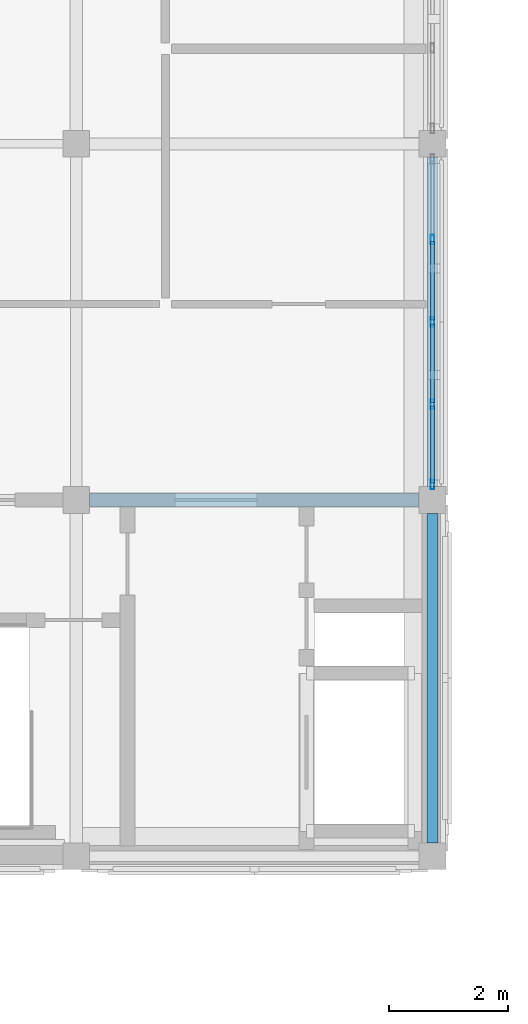
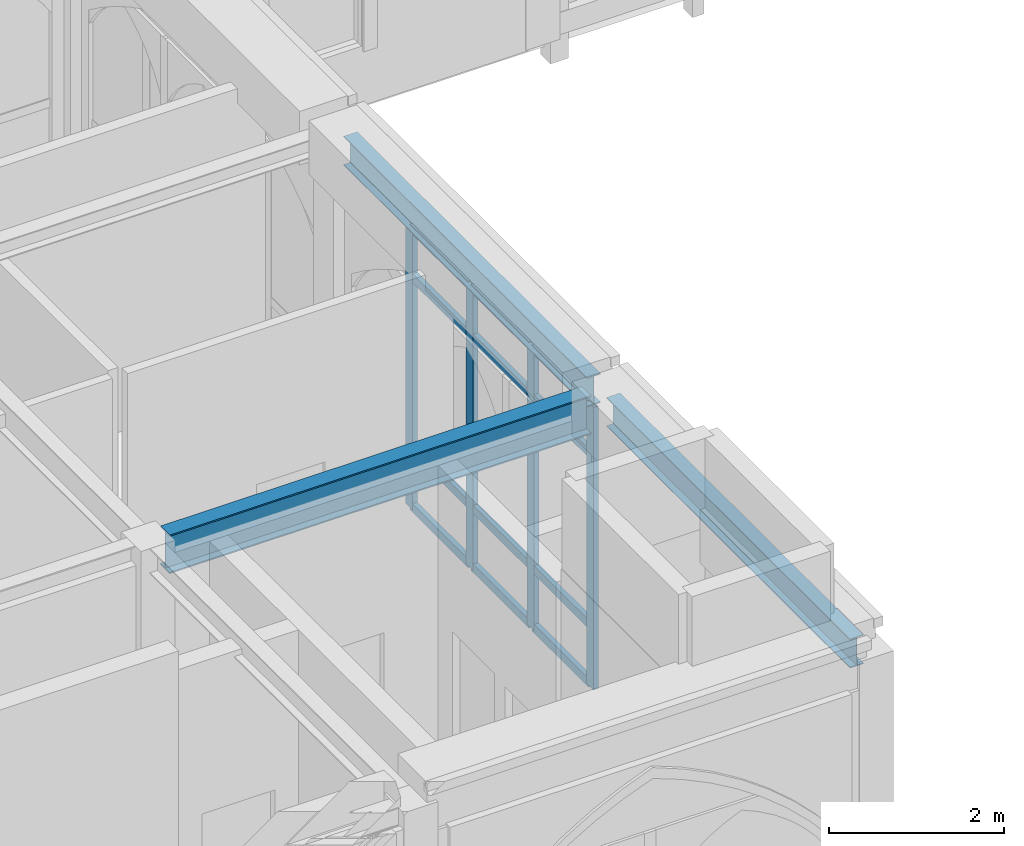
# One storey, part 7 of 59: 16 members, 3 beams, 1 element without a shape of its own.
"""IFC4 building model written with IfcOpenShell, lengths in metres."""

from ifc_helpers import new_model, si_unit, direction, frame, origin, origin_2d, place, context, subcontext, project, spatial, hollow_rectangle, i_section, extrude, material, layer, layer_set, material_profile, profile_set, type_object, element, aggregate, save


model = new_model("IFC4")

# Units and contexts
model_context = context("Model", 3, precision=1e-05, world=origin(), true_north=direction((0.0, 1.0)))
body_context = subcontext(model_context, "Body", "Model", "MODEL_VIEW")
ifc_project = project(units=[si_unit("LENGTHUNIT", "METRE"), si_unit("AREAUNIT", "SQUARE_METRE"), si_unit("VOLUMEUNIT", "CUBIC_METRE"), si_unit("PLANEANGLEUNIT", "RADIAN"), si_unit("MASSUNIT", "GRAM", prefix="KILO")], contexts=[model_context])

# Site, building, storey
site_placement = place(None, origin())
site = spatial("IfcSite", under=ifc_project, at=site_placement, CompositionType="ELEMENT")
building_placement = place(site_placement, origin())
building = spatial("IfcBuilding", under=site, at=building_placement, Name="Cumevento Cable Car Station", CompositionType="ELEMENT")
storey_placement = place(building_placement, frame((0.0, 0.0, 18.0)))
storey = spatial("IfcBuildingStorey", under=building, at=storey_placement, Name="L05", CompositionType="ELEMENT", Elevation=18.0)

# Curtain wall, members
ifc_material_1 = material(Name="Anodised Bronze Aluminium AW-6063-T6", Category="aluminium")
ifc_layer = layer(ifc_material_1, 0.2080078125)
ifc_layer_set = layer_set([ifc_layer], Name="Anodised Bronze Aluminium AW-6063-T6")
curtain_wall_type = type_object("IfcCurtainWallType", Name="Lancet Curtain Wall CW-09 1370", PredefinedType="NOTDEFINED", material=ifc_layer_set)
curtain_wall_placement = place(storey_placement, origin())
curtain_wall = element("IfcCurtainWall", 1, at=curtain_wall_placement, inside=storey, type_object=curtain_wall_type, Name="Lancet Curtain Wall CW-09 L05 #200", PredefinedType="NOTDEFINED")
ifc_material_2 = material(Name="Anodised Bronze Aluminium AW-6063-T6", Category="aluminium")
ifc_material_profile_1 = material_profile(ifc_material_2, hollow_rectangle(XDim=0.06494140625, YDim=0.159912109375, WallThickness=0.00390625, at=origin_2d()), Name="ALUM65x160x4")
ifc_profile_set_1 = profile_set([ifc_material_profile_1], Name="Anodised Bronze Aluminium AW-6063-T6")
member_type_1 = type_object("IfcMemberType", Name="Curtain Mullion CWM-01 ALUM65x160x4", PredefinedType="MULLION", material=ifc_profile_set_1)
member_1_placement = place(storey_placement, frame((22.0, 37.387451171875, 0.159912109375), z_axis=(0.0, 0.0, 1.0), x_axis=(1.0, 0.0, 0.0)))
member_1 = element("IfcMember", 2, at=member_1_placement, type_object=member_type_1, Name="CW-09 mullion 2", PredefinedType="MULLION", context=body_context, shape_type="SweptSolid", body=[
    extrude(hollow_rectangle(XDim=0.06494140625, YDim=0.159912109375, WallThickness=0.00390625, at=origin_2d()), origin(), (0.0, 0.0, 1.0), 3.93310546875),
])
member_2_placement = place(storey_placement, frame((22.0, 36.0, 0.159912109375), z_axis=(0.0, 0.0, 1.0), x_axis=(1.0, 0.0, 0.0)))
member_2 = element("IfcMember", 3, at=member_2_placement, type_object=member_type_1, Name="CW-09 mullion 3", PredefinedType="MULLION", context=body_context, shape_type="SweptSolid", body=[
    extrude(hollow_rectangle(XDim=0.06494140625, YDim=0.159912109375, WallThickness=0.00390625, at=origin_2d()), origin(), (0.0, 0.0, 1.0), 3.93310546875),
])
member_3_placement = place(storey_placement, frame((22.0, 34.612548828125, 0.159912109375), z_axis=(0.0, 0.0, 1.0), x_axis=(1.0, 0.0, 0.0)))
member_3 = element("IfcMember", 4, at=member_3_placement, type_object=member_type_1, Name="CW-09 mullion 4", PredefinedType="MULLION", context=body_context, shape_type="SweptSolid", body=[
    extrude(hollow_rectangle(XDim=0.06494140625, YDim=0.159912109375, WallThickness=0.00390625, at=origin_2d()), origin(), (0.0, 0.0, 1.0), 3.93310546875),
])
member_4_placement = place(storey_placement, frame((22.0, 33.257568359375, 0.159912109375), z_axis=(0.0, 0.0, 1.0), x_axis=(1.0, 0.0, 0.0)))
member_4 = element("IfcMember", 5, at=member_4_placement, type_object=member_type_1, Name="CW-09 mullion 5", PredefinedType="MULLION", context=body_context, shape_type="SweptSolid", body=[
    extrude(hollow_rectangle(XDim=0.06494140625, YDim=0.159912109375, WallThickness=0.00390625, at=origin_2d()), origin(), (0.0, 0.0, 1.0), 3.93310546875),
])
ifc_material_3 = material(Name="Anodised Bronze Aluminium AW-6063-T6", Category="aluminium")
ifc_material_profile_2 = material_profile(ifc_material_3, hollow_rectangle(XDim=0.06494140625, YDim=0.1201171875, WallThickness=0.00390625, at=origin_2d()), Name="ALUT65x120x4")
ifc_profile_set_2 = profile_set([ifc_material_profile_2], Name="Anodised Bronze Aluminium AW-6063-T6")
member_type_2 = type_object("IfcMemberType", Name="Curtain Transom CWT-01 ALUT65x120x4", PredefinedType="USERDEFINED", material=ifc_profile_set_2)
member_5_placement = place(storey_placement, frame((22.0, 37.35498046875, 0.1923828125), z_axis=(0.0, -1.0, 0.0), x_axis=(1.0, 0.0, 0.0)))
member_5 = element("IfcMember", 6, at=member_5_placement, type_object=member_type_2, Name="CW-09 transom 2.1", ObjectType="TRANSOM", PredefinedType="USERDEFINED", context=body_context, shape_type="SweptSolid", body=[
    extrude(hollow_rectangle(XDim=0.06494140625, YDim=0.1201171875, WallThickness=0.00390625, at=origin_2d()), origin(), (0.0, 0.0, 1.0), 1.322509765625),
])
member_6_placement = place(storey_placement, frame((22.0, 37.35498046875, 1.010009765625), z_axis=(0.0, -1.0, 0.0), x_axis=(1.0, 0.0, 0.0)))
member_6 = element("IfcMember", 7, at=member_6_placement, type_object=member_type_2, Name="CW-09 transom 2.2", ObjectType="TRANSOM", PredefinedType="USERDEFINED", context=body_context, shape_type="SweptSolid", body=[
    extrude(hollow_rectangle(XDim=0.06494140625, YDim=0.1201171875, WallThickness=0.00390625, at=origin_2d()), origin(), (0.0, 0.0, 1.0), 1.322509765625),
])
member_7_placement = place(storey_placement, frame((22.0, 37.35498046875, 3.39306640625), z_axis=(0.0, -1.0, 0.0), x_axis=(1.0, 0.0, 0.0)))
member_7 = element("IfcMember", 8, at=member_7_placement, type_object=member_type_2, Name="CW-09 transom 2.3", ObjectType="TRANSOM", PredefinedType="USERDEFINED", context=body_context, shape_type="SweptSolid", body=[
    extrude(hollow_rectangle(XDim=0.06494140625, YDim=0.1201171875, WallThickness=0.00390625, at=origin_2d()), origin(), (0.0, 0.0, 1.0), 1.322509765625),
])
member_8_placement = place(storey_placement, frame((22.0, 37.35498046875, 4.060546875), z_axis=(0.0, -1.0, 0.0), x_axis=(1.0, 0.0, 0.0)))
member_8 = element("IfcMember", 9, at=member_8_placement, type_object=member_type_2, Name="CW-09 transom 2.4", ObjectType="TRANSOM", PredefinedType="USERDEFINED", context=body_context, shape_type="SweptSolid", body=[
    extrude(hollow_rectangle(XDim=0.06494140625, YDim=0.1201171875, WallThickness=0.00390625, at=origin_2d()), origin(), (0.0, 0.0, 1.0), 1.322509765625),
])
member_9_placement = place(storey_placement, frame((22.0, 35.967529296875, 0.1923828125), z_axis=(0.0, -1.0, 0.0), x_axis=(1.0, 0.0, 0.0)))
member_9 = element("IfcMember", 10, at=member_9_placement, type_object=member_type_2, Name="CW-09 transom 3.1", ObjectType="TRANSOM", PredefinedType="USERDEFINED", context=body_context, shape_type="SweptSolid", body=[
    extrude(hollow_rectangle(XDim=0.06494140625, YDim=0.1201171875, WallThickness=0.00390625, at=origin_2d()), origin(), (0.0, 0.0, 1.0), 1.322509765625),
])
member_10_placement = place(storey_placement, frame((22.0, 35.967529296875, 1.010009765625), z_axis=(0.0, -1.0, 0.0), x_axis=(1.0, 0.0, 0.0)))
member_10 = element("IfcMember", 11, at=member_10_placement, type_object=member_type_2, Name="CW-09 transom 3.2", ObjectType="TRANSOM", PredefinedType="USERDEFINED", context=body_context, shape_type="SweptSolid", body=[
    extrude(hollow_rectangle(XDim=0.06494140625, YDim=0.1201171875, WallThickness=0.00390625, at=origin_2d()), origin(), (0.0, 0.0, 1.0), 1.322509765625),
])
member_11_placement = place(storey_placement, frame((22.0, 35.967529296875, 3.39306640625), z_axis=(0.0, -1.0, 0.0), x_axis=(1.0, 0.0, 0.0)))
member_11 = element("IfcMember", 12, at=member_11_placement, type_object=member_type_2, Name="CW-09 transom 3.3", ObjectType="TRANSOM", PredefinedType="USERDEFINED", context=body_context, shape_type="SweptSolid", body=[
    extrude(hollow_rectangle(XDim=0.06494140625, YDim=0.1201171875, WallThickness=0.00390625, at=origin_2d()), origin(), (0.0, 0.0, 1.0), 1.322509765625),
])
member_12_placement = place(storey_placement, frame((22.0, 35.967529296875, 4.060546875), z_axis=(0.0, -1.0, 0.0), x_axis=(1.0, 0.0, 0.0)))
member_12 = element("IfcMember", 13, at=member_12_placement, type_object=member_type_2, Name="CW-09 transom 3.4", ObjectType="TRANSOM", PredefinedType="USERDEFINED", context=body_context, shape_type="SweptSolid", body=[
    extrude(hollow_rectangle(XDim=0.06494140625, YDim=0.1201171875, WallThickness=0.00390625, at=origin_2d()), origin(), (0.0, 0.0, 1.0), 1.322509765625),
])
member_13_placement = place(storey_placement, frame((22.0, 34.580078125, 0.1923828125), z_axis=(0.0, -1.0, 0.0), x_axis=(1.0, 0.0, 0.0)))
member_13 = element("IfcMember", 14, at=member_13_placement, type_object=member_type_2, Name="CW-09 transom 4.1", ObjectType="TRANSOM", PredefinedType="USERDEFINED", context=body_context, shape_type="SweptSolid", body=[
    extrude(hollow_rectangle(XDim=0.06494140625, YDim=0.1201171875, WallThickness=0.00390625, at=origin_2d()), origin(), (0.0, 0.0, 1.0), 1.2900390625),
])
member_14_placement = place(storey_placement, frame((22.0, 34.580078125, 1.010009765625), z_axis=(0.0, -1.0, 0.0), x_axis=(1.0, 0.0, 0.0)))
member_14 = element("IfcMember", 15, at=member_14_placement, type_object=member_type_2, Name="CW-09 transom 4.2", ObjectType="TRANSOM", PredefinedType="USERDEFINED", context=body_context, shape_type="SweptSolid", body=[
    extrude(hollow_rectangle(XDim=0.06494140625, YDim=0.1201171875, WallThickness=0.00390625, at=origin_2d()), origin(), (0.0, 0.0, 1.0), 1.2900390625),
])
member_15_placement = place(storey_placement, frame((22.0, 34.580078125, 3.39306640625), z_axis=(0.0, -1.0, 0.0), x_axis=(1.0, 0.0, 0.0)))
member_15 = element("IfcMember", 16, at=member_15_placement, type_object=member_type_2, Name="CW-09 transom 4.3", ObjectType="TRANSOM", PredefinedType="USERDEFINED", context=body_context, shape_type="SweptSolid", body=[
    extrude(hollow_rectangle(XDim=0.06494140625, YDim=0.1201171875, WallThickness=0.00390625, at=origin_2d()), origin(), (0.0, 0.0, 1.0), 1.2900390625),
])
member_16_placement = place(storey_placement, frame((22.0, 34.580078125, 4.060546875), z_axis=(0.0, -1.0, 0.0), x_axis=(1.0, 0.0, 0.0)))
member_16 = element("IfcMember", 17, at=member_16_placement, type_object=member_type_2, Name="CW-09 transom 4.4", ObjectType="TRANSOM", PredefinedType="USERDEFINED", context=body_context, shape_type="SweptSolid", body=[
    extrude(hollow_rectangle(XDim=0.06494140625, YDim=0.1201171875, WallThickness=0.00390625, at=origin_2d()), origin(), (0.0, 0.0, 1.0), 1.2900390625),
])
aggregate(curtain_wall, [member_1, member_2, member_3, member_4, member_5, member_6, member_7, member_8, member_9, member_10, member_11, member_12, member_13, member_14, member_15, member_16])

# Beams
ifc_material_4 = material(Name="Steel ASTM A572 Grade 50", Category="steel")
ifc_material_profile_3 = material_profile(ifc_material_4, i_section(OverallWidth=0.2109375, OverallDepth=0.5390625, WebThickness=0.01171875, FlangeThickness=0.018798828125, at=origin_2d()), Name="W530x109.0")
ifc_profile_set_3 = profile_set([ifc_material_profile_3], Name="Steel ASTM A572 Grade 50")
beam_type_1 = type_object("IfcBeamType", Name="Structural Beam BM-11 W530x109.0", PredefinedType="BEAM", material=ifc_profile_set_3)
beam_placement = place(storey_placement, frame((16.22509765625, 33.0, 4.23046875), z_axis=(1.0, 0.0, 0.0), x_axis=(0.0, 1.0, 0.0)))
element("IfcBeam", 18, at=beam_placement, inside=storey, type_object=beam_type_1, Name="Beam BM-11 L05 #1576", PredefinedType="BEAM", context=body_context, shape_type="SweptSolid", body=[
    extrude(i_section(OverallWidth=0.2109375, OverallDepth=0.5390625, WebThickness=0.01171875, FlangeThickness=0.018798828125, at=origin_2d()), origin(), (0.0, 0.0, 1.0), 5.5498046875),
])
ifc_material_5 = material(Name="Steel ASTM A572 Grade 50", Category="steel")
ifc_material_profile_4 = material_profile(ifc_material_5, i_section(OverallWidth=0.177978515625, OverallDepth=0.406982421875, WebThickness=0.0078125, FlangeThickness=0.0126953125, at=origin_2d()), Name="W410x60.0")
ifc_profile_set_4 = profile_set([ifc_material_profile_4], Name="Steel ASTM A572 Grade 50")
beam_type_2 = type_object("IfcBeamType", Name="Structural Spandrel SP-01 W410x60.0", PredefinedType="SPANDREL", material=ifc_profile_set_4)
for number, where, z_axis, x_axis, name in (
    (19, (22.0, 27.22509765625, 4.29638671875), (0.0, 1.0, 0.0), (-1.0, 0.0, 0.0), "Beam SP-01 L05 #1579"),
    (20, (22.0, 33.22509765625, 4.29638671875), (0.0, 1.0, 0.0), (-1.0, 0.0, 0.0), "Beam SP-01 L05 #1588"),
):
    element("IfcBeam", number, at=place(storey_placement, frame(where, z_axis=z_axis, x_axis=x_axis)), inside=storey, type_object=beam_type_2, Name=name, PredefinedType="SPANDREL", context=body_context, shape_type="SweptSolid", body=[
        extrude(i_section(OverallWidth=0.177978515625, OverallDepth=0.406982421875, WebThickness=0.0078125, FlangeThickness=0.0126953125, at=origin_2d()), origin(), (0.0, 0.0, 1.0), 5.5498046875),
    ])

save(model, "model.ifc")
